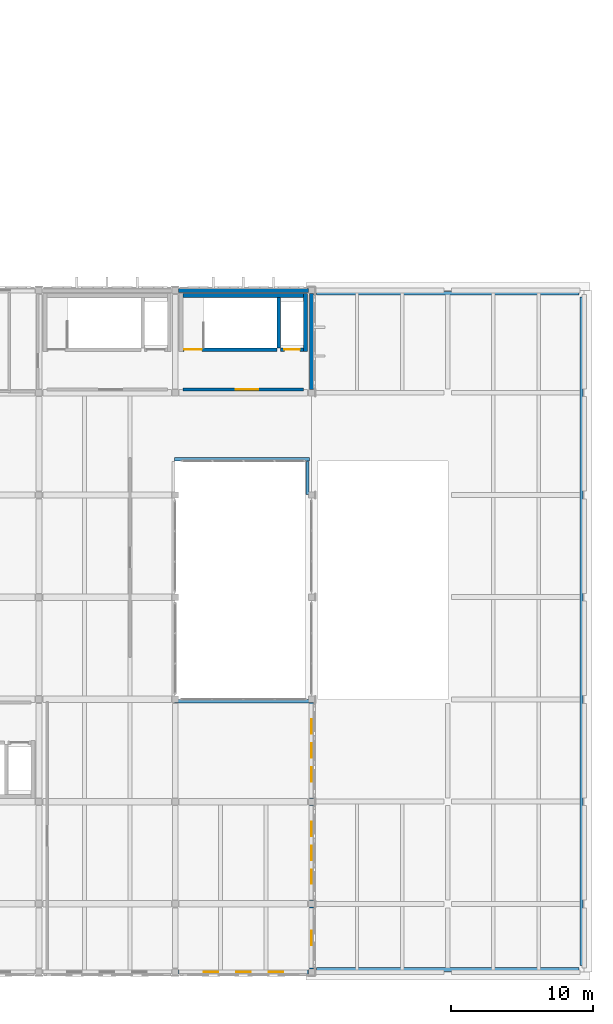
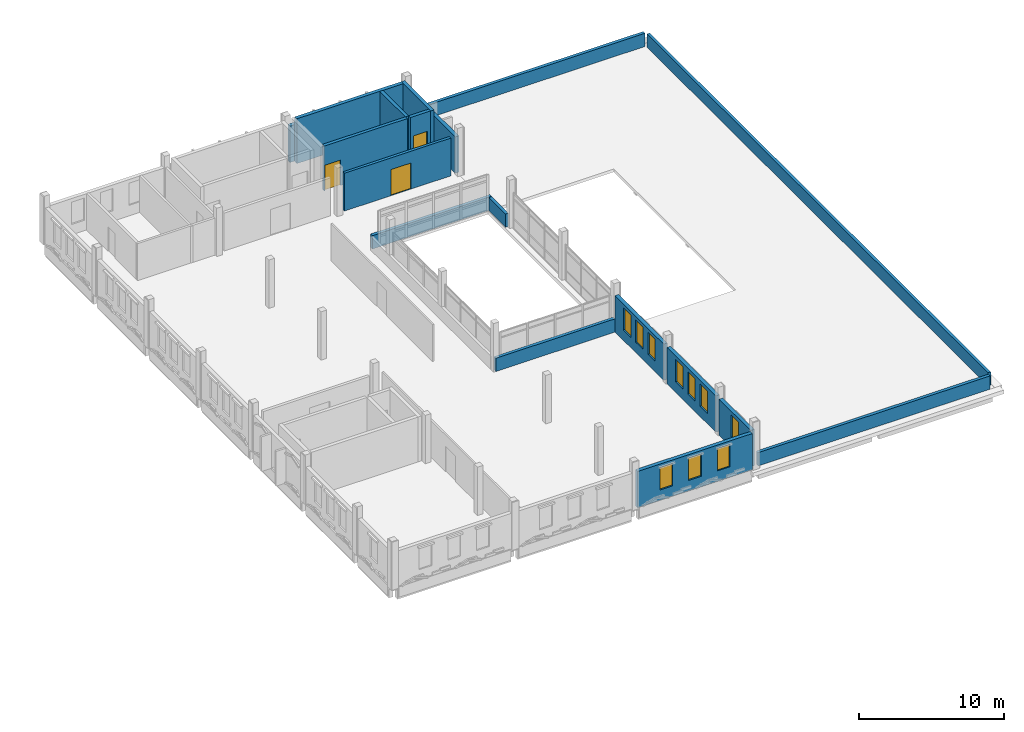
# One storey, part 40 of 50: 18 walls, 10 windows, 3 doors, 13 openings.
"""IFC4 building model written with IfcOpenShell, lengths in metres."""

from ifc_helpers import new_model, si_unit, direction, frame, frame_2d, origin, place, context, subcontext, project, spatial, rectangle, extrude, material, layer, layer_set, type_object, element, fill, save


model = new_model("IFC4")

# Units and contexts
model_context = context("Model", 3, precision=1e-05, world=origin(), true_north=direction((0.0, 1.0)))
body_context = subcontext(model_context, "Body", "Model", "MODEL_VIEW")
ifc_project = project(units=[si_unit("LENGTHUNIT", "METRE"), si_unit("AREAUNIT", "SQUARE_METRE"), si_unit("VOLUMEUNIT", "CUBIC_METRE"), si_unit("PLANEANGLEUNIT", "RADIAN"), si_unit("MASSUNIT", "GRAM", prefix="KILO")], contexts=[model_context])

# Site, building, storey
site_placement = place(None, origin())
site = spatial("IfcSite", under=ifc_project, at=site_placement, CompositionType="ELEMENT")
building_placement = place(site_placement, origin())
building = spatial("IfcBuilding", under=site, at=building_placement, Name="Asteropetra Specialist Clinic", CompositionType="ELEMENT")
storey_placement = place(building_placement, frame((0.0, 0.0, 16.659912109375)))
storey = spatial("IfcBuildingStorey", under=building, at=storey_placement, Name="L04", CompositionType="ELEMENT", Elevation=16.659912109375)

# Wall, openings, windows
ifc_material_1 = material(Name="Chevron sage", Category="masonry")
ifc_layer_1 = layer(ifc_material_1, 0.294921875)
ifc_layer_set_1 = layer_set([ifc_layer_1], Name="Chevron sage")
wall_type_1 = type_object("IfcWallType", Name="EW-CHEV-AEG-295", PredefinedType="SOLIDWALL", material=ifc_layer_set_1)
wall_1_placement = place(storey_placement, frame((125.02490234375, 0.0, 0.0), z_axis=(0.0, 0.0, 1.0), x_axis=(1.0, 0.0, 0.0)))
wall_1 = element("IfcWall", 1, at=wall_1_placement, inside=storey, type_object=wall_type_1, Name="Exterior Wall EW-0283", PredefinedType="SOLIDWALL", context=body_context, shape_type="SweptSolid", body=[
    extrude(rectangle(XDim=9.150146484375, YDim=0.294921875, at=frame_2d((4.5751953125, 0.0))), origin(), (0.0, 0.0, 1.0), 3.06005859375),
])
opening_1_placement = place(wall_1_placement, frame((1.777587890625, 0.0, 0.8798828125)))
opening_1 = element("IfcOpeningElement", 2, at=opening_1_placement, cuts=wall_1, Name="Opening W-0173", PredefinedType="OPENING", context=body_context, shape_type="SweptSolid", body=[
    extrude(rectangle(XDim=1.02001953125, YDim=1.8798828125, at=frame_2d((0.510009765625, 0.93994140625))), frame((0.0, 0.157470703125, 0.0), z_axis=(0.0, -1.0, 0.0), x_axis=(1.0, 0.0, 0.0)), (0.0, 0.0, 1.0), 0.31494140625),
])
opening_2_placement = place(wall_1_placement, frame((4.06494140625, 0.0, 0.8798828125)))
opening_2 = element("IfcOpeningElement", 3, at=opening_2_placement, cuts=wall_1, Name="Opening W-0174", PredefinedType="OPENING", context=body_context, shape_type="SweptSolid", body=[
    extrude(rectangle(XDim=1.02001953125, YDim=1.8798828125, at=frame_2d((0.510009765625, 0.93994140625))), frame((0.0, 0.157470703125, 0.0), z_axis=(0.0, -1.0, 0.0), x_axis=(1.0, 0.0, 0.0)), (0.0, 0.0, 1.0), 0.31494140625),
])
opening_3_placement = place(wall_1_placement, frame((6.3525390625, 0.0, 0.8798828125)))
opening_3 = element("IfcOpeningElement", 4, at=opening_3_placement, cuts=wall_1, Name="Opening W-0175", PredefinedType="OPENING", context=body_context, shape_type="SweptSolid", body=[
    extrude(rectangle(XDim=1.02001953125, YDim=1.8798828125, at=frame_2d((0.510009765625, 0.93994140625))), frame((0.0, 0.157470703125, 0.0), z_axis=(0.0, -1.0, 0.0), x_axis=(1.0, 0.0, 0.0)), (0.0, 0.0, 1.0), 0.31494140625),
])
ifc_material_2 = material(Name="Thermally broken bronze aluminium and low-E glass", Category="aluminium")
window_type = type_object("IfcWindowType", Name="WIN-T31", PartitioningType="SINGLE_PANEL", PredefinedType="WINDOW", material=ifc_material_2)
window_1_placement = place(opening_1_placement, origin())
window_1 = element("IfcWindow", 5, at=window_1_placement, inside=storey, type_object=window_type, Name="Window W-0173", OverallHeight=1.8798828125, OverallWidth=1.02001953125, PartitioningType="SINGLE_PANEL", PredefinedType="WINDOW", context=body_context, shape_type="SweptSolid", body=[
    extrude(rectangle(XDim=1.02001953125, YDim=1.8798828125, at=frame_2d((0.510009765625, 0.93994140625))), frame((0.0, 0.030029296875, 0.0), z_axis=(0.0, -1.0, 0.0), x_axis=(1.0, 0.0, 0.0)), (0.0, 0.0, 1.0), 0.06005859375),
])
fill(opening_1, window_1)
window_2_placement = place(opening_2_placement, origin())
window_2 = element("IfcWindow", 6, at=window_2_placement, inside=storey, type_object=window_type, Name="Window W-0174", OverallHeight=1.8798828125, OverallWidth=1.02001953125, PartitioningType="SINGLE_PANEL", PredefinedType="WINDOW", context=body_context, shape_type="SweptSolid", body=[
    extrude(rectangle(XDim=1.02001953125, YDim=1.8798828125, at=frame_2d((0.510009765625, 0.93994140625))), frame((0.0, 0.030029296875, 0.0), z_axis=(0.0, -1.0, 0.0), x_axis=(1.0, 0.0, 0.0)), (0.0, 0.0, 1.0), 0.06005859375),
])
fill(opening_2, window_2)
window_3_placement = place(opening_3_placement, origin())
window_3 = element("IfcWindow", 7, at=window_3_placement, inside=storey, type_object=window_type, Name="Window W-0175", OverallHeight=1.8798828125, OverallWidth=1.02001953125, PartitioningType="SINGLE_PANEL", PredefinedType="WINDOW", context=body_context, shape_type="SweptSolid", body=[
    extrude(rectangle(XDim=1.02001953125, YDim=1.8798828125, at=frame_2d((0.510009765625, 0.93994140625))), frame((0.0, 0.030029296875, 0.0), z_axis=(0.0, -1.0, 0.0), x_axis=(1.0, 0.0, 0.0)), (0.0, 0.0, 1.0), 0.06005859375),
])
fill(opening_3, window_3)

# Wall
wall_2_placement = place(storey_placement, frame((134.175048828125, 48.0, 0.0), z_axis=(0.0, 0.0, 1.0), x_axis=(-1.0, 0.0, 0.0)))
element("IfcWall", 8, at=wall_2_placement, inside=storey, type_object=wall_type_1, Name="Exterior Wall EW-0284", PredefinedType="SOLIDWALL", context=body_context, shape_type="SweptSolid", body=[
    extrude(rectangle(XDim=9.150146484375, YDim=0.294921875, at=frame_2d((4.5751953125, 0.0))), origin(), (0.0, 0.0, 1.0), 3.06005859375),
])

# Wall, opening, window
wall_3_placement = place(storey_placement, frame((134.39990234375, 0.22509765625, 0.0), z_axis=(0.0, 0.0, 1.0), x_axis=(0.0, 1.0, 0.0)))
wall_3 = element("IfcWall", 9, at=wall_3_placement, inside=storey, type_object=wall_type_1, Name="Exterior Wall EW-0286", PredefinedType="SOLIDWALL", context=body_context, shape_type="SweptSolid", body=[
    extrude(rectangle(XDim=4.349853515625, YDim=0.294921875, at=frame_2d((2.1748046875, 0.0))), origin(), (0.0, 0.0, 1.0), 3.06005859375),
])
opening_4_placement = place(wall_3_placement, frame((1.6650390625, 0.0, 0.8798828125)))
opening_4 = element("IfcOpeningElement", 10, at=opening_4_placement, cuts=wall_3, Name="Opening W-0177", PredefinedType="OPENING", context=body_context, shape_type="SweptSolid", body=[
    extrude(rectangle(XDim=1.02001953125, YDim=1.8798828125, at=frame_2d((0.510009765625, 0.93994140625))), frame((0.0, 0.157470703125, 0.0), z_axis=(0.0, -1.0, 0.0), x_axis=(1.0, 0.0, 0.0)), (0.0, 0.0, 1.0), 0.31494140625),
])
window_4_placement = place(opening_4_placement, origin())
window_4 = element("IfcWindow", 11, at=window_4_placement, inside=storey, type_object=window_type, Name="Window W-0177", OverallHeight=1.8798828125, OverallWidth=1.02001953125, PartitioningType="SINGLE_PANEL", PredefinedType="WINDOW", context=body_context, shape_type="SweptSolid", body=[
    extrude(rectangle(XDim=1.02001953125, YDim=1.8798828125, at=frame_2d((0.510009765625, 0.93994140625))), frame((0.0, 0.030029296875, 0.0), z_axis=(0.0, -1.0, 0.0), x_axis=(1.0, 0.0, 0.0)), (0.0, 0.0, 1.0), 0.06005859375),
])
fill(opening_4, window_4)

# Wall, openings, windows
wall_4_placement = place(storey_placement, frame((134.39990234375, 5.02490234375, 0.0), z_axis=(0.0, 0.0, 1.0), x_axis=(0.0, 1.0, 0.0)))
wall_4 = element("IfcWall", 12, at=wall_4_placement, inside=storey, type_object=wall_type_1, Name="Exterior Wall EW-0288", PredefinedType="SOLIDWALL", context=body_context, shape_type="SweptSolid", body=[
    extrude(rectangle(XDim=6.75, YDim=0.294921875, at=frame_2d((3.375, 0.0))), origin(), (0.0, 0.0, 1.0), 3.06005859375),
])
opening_5_placement = place(wall_4_placement, frame((1.177490234375, 0.0, 0.8798828125)))
opening_5 = element("IfcOpeningElement", 13, at=opening_5_placement, cuts=wall_4, Name="Opening W-0181", PredefinedType="OPENING", context=body_context, shape_type="SweptSolid", body=[
    extrude(rectangle(XDim=1.02001953125, YDim=1.8798828125, at=frame_2d((0.510009765625, 0.93994140625))), frame((0.0, 0.157470703125, 0.0), z_axis=(0.0, -1.0, 0.0), x_axis=(1.0, 0.0, 0.0)), (0.0, 0.0, 1.0), 0.31494140625),
])
opening_6_placement = place(wall_4_placement, frame((2.864990234375, 0.0, 0.8798828125)))
opening_6 = element("IfcOpeningElement", 14, at=opening_6_placement, cuts=wall_4, Name="Opening W-0182", PredefinedType="OPENING", context=body_context, shape_type="SweptSolid", body=[
    extrude(rectangle(XDim=1.02001953125, YDim=1.8798828125, at=frame_2d((0.510009765625, 0.93994140625))), frame((0.0, 0.157470703125, 0.0), z_axis=(0.0, -1.0, 0.0), x_axis=(1.0, 0.0, 0.0)), (0.0, 0.0, 1.0), 0.31494140625),
])
opening_7_placement = place(wall_4_placement, frame((4.552490234375, 0.0, 0.8798828125)))
opening_7 = element("IfcOpeningElement", 15, at=opening_7_placement, cuts=wall_4, Name="Opening W-0183", PredefinedType="OPENING", context=body_context, shape_type="SweptSolid", body=[
    extrude(rectangle(XDim=1.02001953125, YDim=1.8798828125, at=frame_2d((0.510009765625, 0.93994140625))), frame((0.0, 0.157470703125, 0.0), z_axis=(0.0, -1.0, 0.0), x_axis=(1.0, 0.0, 0.0)), (0.0, 0.0, 1.0), 0.31494140625),
])
window_5_placement = place(opening_5_placement, origin())
window_5 = element("IfcWindow", 16, at=window_5_placement, inside=storey, type_object=window_type, Name="Window W-0181", OverallHeight=1.8798828125, OverallWidth=1.02001953125, PartitioningType="SINGLE_PANEL", PredefinedType="WINDOW", context=body_context, shape_type="SweptSolid", body=[
    extrude(rectangle(XDim=1.02001953125, YDim=1.8798828125, at=frame_2d((0.510009765625, 0.93994140625))), frame((0.0, 0.030029296875, 0.0), z_axis=(0.0, -1.0, 0.0), x_axis=(1.0, 0.0, 0.0)), (0.0, 0.0, 1.0), 0.06005859375),
])
fill(opening_5, window_5)
window_6_placement = place(opening_6_placement, origin())
window_6 = element("IfcWindow", 17, at=window_6_placement, inside=storey, type_object=window_type, Name="Window W-0182", OverallHeight=1.8798828125, OverallWidth=1.02001953125, PartitioningType="SINGLE_PANEL", PredefinedType="WINDOW", context=body_context, shape_type="SweptSolid", body=[
    extrude(rectangle(XDim=1.02001953125, YDim=1.8798828125, at=frame_2d((0.510009765625, 0.93994140625))), frame((0.0, 0.030029296875, 0.0), z_axis=(0.0, -1.0, 0.0), x_axis=(1.0, 0.0, 0.0)), (0.0, 0.0, 1.0), 0.06005859375),
])
fill(opening_6, window_6)
window_7_placement = place(opening_7_placement, origin())
window_7 = element("IfcWindow", 18, at=window_7_placement, inside=storey, type_object=window_type, Name="Window W-0183", OverallHeight=1.8798828125, OverallWidth=1.02001953125, PartitioningType="SINGLE_PANEL", PredefinedType="WINDOW", context=body_context, shape_type="SweptSolid", body=[
    extrude(rectangle(XDim=1.02001953125, YDim=1.8798828125, at=frame_2d((0.510009765625, 0.93994140625))), frame((0.0, 0.030029296875, 0.0), z_axis=(0.0, -1.0, 0.0), x_axis=(1.0, 0.0, 0.0)), (0.0, 0.0, 1.0), 0.06005859375),
])
fill(opening_7, window_7)

wall_5_placement = place(storey_placement, frame((134.39990234375, 12.22509765625, 0.0), z_axis=(0.0, 0.0, 1.0), x_axis=(0.0, 1.0, 0.0)))
wall_5 = element("IfcWall", 19, at=wall_5_placement, inside=storey, type_object=wall_type_1, Name="Exterior Wall EW-0290", PredefinedType="SOLIDWALL", context=body_context, shape_type="SweptSolid", body=[
    extrude(rectangle(XDim=6.75, YDim=0.294921875, at=frame_2d((3.375, 0.0))), origin(), (0.0, 0.0, 1.0), 3.06005859375),
])
opening_8_placement = place(wall_5_placement, frame((1.177490234375, 0.0, 0.8798828125)))
opening_8 = element("IfcOpeningElement", 20, at=opening_8_placement, cuts=wall_5, Name="Opening W-0184", PredefinedType="OPENING", context=body_context, shape_type="SweptSolid", body=[
    extrude(rectangle(XDim=1.02001953125, YDim=1.8798828125, at=frame_2d((0.510009765625, 0.93994140625))), frame((0.0, 0.157470703125, 0.0), z_axis=(0.0, -1.0, 0.0), x_axis=(1.0, 0.0, 0.0)), (0.0, 0.0, 1.0), 0.31494140625),
])
opening_9_placement = place(wall_5_placement, frame((2.864990234375, 0.0, 0.8798828125)))
opening_9 = element("IfcOpeningElement", 21, at=opening_9_placement, cuts=wall_5, Name="Opening W-0185", PredefinedType="OPENING", context=body_context, shape_type="SweptSolid", body=[
    extrude(rectangle(XDim=1.02001953125, YDim=1.8798828125, at=frame_2d((0.510009765625, 0.93994140625))), frame((0.0, 0.157470703125, 0.0), z_axis=(0.0, -1.0, 0.0), x_axis=(1.0, 0.0, 0.0)), (0.0, 0.0, 1.0), 0.31494140625),
])
opening_10_placement = place(wall_5_placement, frame((4.552490234375, 0.0, 0.8798828125)))
opening_10 = element("IfcOpeningElement", 22, at=opening_10_placement, cuts=wall_5, Name="Opening W-0186", PredefinedType="OPENING", context=body_context, shape_type="SweptSolid", body=[
    extrude(rectangle(XDim=1.02001953125, YDim=1.8798828125, at=frame_2d((0.510009765625, 0.93994140625))), frame((0.0, 0.157470703125, 0.0), z_axis=(0.0, -1.0, 0.0), x_axis=(1.0, 0.0, 0.0)), (0.0, 0.0, 1.0), 0.31494140625),
])
window_8_placement = place(opening_8_placement, origin())
window_8 = element("IfcWindow", 23, at=window_8_placement, inside=storey, type_object=window_type, Name="Window W-0184", OverallHeight=1.8798828125, OverallWidth=1.02001953125, PartitioningType="SINGLE_PANEL", PredefinedType="WINDOW", context=body_context, shape_type="SweptSolid", body=[
    extrude(rectangle(XDim=1.02001953125, YDim=1.8798828125, at=frame_2d((0.510009765625, 0.93994140625))), frame((0.0, 0.030029296875, 0.0), z_axis=(0.0, -1.0, 0.0), x_axis=(1.0, 0.0, 0.0)), (0.0, 0.0, 1.0), 0.06005859375),
])
fill(opening_8, window_8)
window_9_placement = place(opening_9_placement, origin())
window_9 = element("IfcWindow", 24, at=window_9_placement, inside=storey, type_object=window_type, Name="Window W-0185", OverallHeight=1.8798828125, OverallWidth=1.02001953125, PartitioningType="SINGLE_PANEL", PredefinedType="WINDOW", context=body_context, shape_type="SweptSolid", body=[
    extrude(rectangle(XDim=1.02001953125, YDim=1.8798828125, at=frame_2d((0.510009765625, 0.93994140625))), frame((0.0, 0.030029296875, 0.0), z_axis=(0.0, -1.0, 0.0), x_axis=(1.0, 0.0, 0.0)), (0.0, 0.0, 1.0), 0.06005859375),
])
fill(opening_9, window_9)
window_10_placement = place(opening_10_placement, origin())
window_10 = element("IfcWindow", 25, at=window_10_placement, inside=storey, type_object=window_type, Name="Window W-0186", OverallHeight=1.8798828125, OverallWidth=1.02001953125, PartitioningType="SINGLE_PANEL", PredefinedType="WINDOW", context=body_context, shape_type="SweptSolid", body=[
    extrude(rectangle(XDim=1.02001953125, YDim=1.8798828125, at=frame_2d((0.510009765625, 0.93994140625))), frame((0.0, 0.030029296875, 0.0), z_axis=(0.0, -1.0, 0.0), x_axis=(1.0, 0.0, 0.0)), (0.0, 0.0, 1.0), 0.06005859375),
])
fill(opening_10, window_10)

# Walls
wall_6_placement = place(storey_placement, frame((134.39990234375, 41.02490234375, 0.0), z_axis=(0.0, 0.0, 1.0), x_axis=(0.0, 1.0, 0.0)))
element("IfcWall", 26, at=wall_6_placement, inside=storey, type_object=wall_type_1, Name="Exterior Wall EW-0295", PredefinedType="SOLIDWALL", context=body_context, shape_type="SweptSolid", body=[
    extrude(rectangle(XDim=6.75, YDim=0.294921875, at=frame_2d((3.375, 0.0))), origin(), (0.0, 0.0, 1.0), 3.06005859375),
])
ifc_material_3 = material(Name="Piraeus poros limestone", Category="masonry")
ifc_layer_2 = layer(ifc_material_3, 0.219970703125)
ifc_layer_set_2 = layer_set([ifc_layer_2], Name="Piraeus poros limestone")
wall_type_2 = type_object("IfcWallType", Name="EW-PARAPET-220", PredefinedType="PARAPET", material=ifc_layer_set_2)
wall_7_placement = place(storey_placement, frame((153.419921875, 0.449951171875, 0.0), z_axis=(0.0, 0.0, 1.0), x_axis=(0.0, 1.0, 0.0)))
element("IfcWall", 27, at=wall_7_placement, inside=storey, type_object=wall_type_2, Name="Roof Parapet WP-18", PredefinedType="PARAPET", context=body_context, shape_type="SweptSolid", body=[
    extrude(rectangle(XDim=47.10009765625, YDim=0.219970703125, at=frame_2d((23.550048828125, 0.0))), origin(), (0.0, 0.0, 1.0), 1.1201171875),
])
wall_8_placement = place(storey_placement, frame((134.1201171875, 33.64990234375, 0.0), z_axis=(0.0, 0.0, 1.0), x_axis=(0.0, 1.0, 0.0)))
element("IfcWall", 28, at=wall_8_placement, inside=storey, type_object=wall_type_2, Name="Roof Parapet WP-28", PredefinedType="PARAPET", context=body_context, shape_type="SweptSolid", body=[
    extrude(rectangle(XDim=2.300048828125, YDim=0.219970703125, at=frame_2d((1.14990234375, 0.0))), origin(), (0.0, 0.0, 1.0), 1.1201171875),
])
ifc_material_4 = material(Name="Pentelic marble ashlar", Category="masonry")
ifc_layer_3 = layer(ifc_material_4, 0.25)
ifc_layer_set_3 = layer_set([ifc_layer_3], Name="Pentelic marble ashlar")
wall_type_3 = type_object("IfcWallType", Name="EW-PARAPET-250", PredefinedType="PARAPET", material=ifc_layer_set_3)
for number, where, z_axis, x_axis, name in (
    (29, (134.75, 47.820068359375, 0.0), (0.0, 0.0, 1.0), (1.0, 0.0, 0.0), "Roof Parapet WP-17"),
    (30, (134.75, 0.179931640625, 0.0), (0.0, 0.0, 1.0), (1.0, 0.0, 0.0), "Roof Parapet WP-19"),
):
    element("IfcWall", number, at=place(storey_placement, frame(where, z_axis=z_axis, x_axis=x_axis)), inside=storey, type_object=wall_type_3, Name=name, PredefinedType="PARAPET", context=body_context, shape_type="SweptSolid", body=[
        extrude(rectangle(XDim=18.5, YDim=0.25, at=frame_2d((9.25, 0.0))), origin(), (0.0, 0.0, 1.0), 1.1201171875),
    ])
for number, where, z_axis, x_axis, name in (
    (31, (124.75, 36.1201171875, 0.0), (0.0, 0.0, 1.0), (1.0, 0.0, 0.0), "Roof Parapet WP-25"),
    (32, (124.75, 19.080078125, 0.0), (0.0, 0.0, 1.0), (1.0, 0.0, 0.0), "Roof Parapet WP-27"),
):
    element("IfcWall", number, at=place(storey_placement, frame(where, z_axis=z_axis, x_axis=x_axis)), inside=storey, type_object=wall_type_3, Name=name, PredefinedType="PARAPET", context=body_context, shape_type="SweptSolid", body=[
        extrude(rectangle(XDim=9.5, YDim=0.25, at=frame_2d((4.75, 0.0))), origin(), (0.0, 0.0, 1.0), 1.1201171875),
    ])

# Wall, opening, door
ifc_material_5 = material(Name="Fire-rated masonry and gypsum", Category="masonry")
ifc_layer_4 = layer(ifc_material_5, 0.219970703125)
ifc_layer_set_4 = layer_set([ifc_layer_4], Name="Fire-rated masonry and gypsum")
wall_type_4 = type_object("IfcWallType", Name="W-COMP-220", PredefinedType="PARTITIONING", material=ifc_layer_set_4)
wall_9_placement = place(storey_placement, frame((125.360107421875, 41.02001953125, 0.0), z_axis=(0.0, 0.0, 1.0), x_axis=(1.0, 0.0, 0.0)))
wall_9 = element("IfcWall", 33, at=wall_9_placement, inside=storey, type_object=wall_type_4, Name="Core Wall CW-C9-L04-LOB", PredefinedType="PARTITIONING", context=body_context, shape_type="SweptSolid", body=[
    extrude(rectangle(XDim=8.47998046875, YDim=0.219970703125, at=frame_2d((4.239990234375, 0.0))), origin(), (0.0, 0.0, 1.0), 3.190185546875),
])
opening_11_placement = place(wall_9_placement, frame((3.699951171875, 0.0, 0.0)))
opening_11 = element("IfcOpeningElement", 34, at=opening_11_placement, cuts=wall_9, Name="Opening FD-084", PredefinedType="OPENING", context=body_context, shape_type="SweptSolid", body=[
    extrude(rectangle(XDim=1.60009765625, YDim=2.199951171875, at=frame_2d((0.800048828125, 1.10009765625))), frame((0.0, 0.119873046875, 0.0), z_axis=(0.0, -1.0, 0.0), x_axis=(1.0, 0.0, 0.0)), (0.0, 0.0, 1.0), 0.239990234375),
])
ifc_material_6 = material(Name="Fire-rated steel and vision glass door", Category="steel")
door_type_1 = type_object("IfcDoorType", Name="FD-LOBBY-1600", OperationType="DOUBLE_DOOR_SINGLE_SWING", PredefinedType="DOOR", material=ifc_material_6)
door_1_placement = place(opening_11_placement, origin())
door_1 = element("IfcDoor", 35, at=door_1_placement, inside=storey, type_object=door_type_1, Name="Lobby Fire Door FD-084", OperationType="DOUBLE_DOOR_SINGLE_SWING", OverallHeight=2.199951171875, OverallWidth=1.60009765625, PredefinedType="DOOR", context=body_context, shape_type="SweptSolid", body=[
    extrude(rectangle(XDim=1.60009765625, YDim=2.199951171875, at=frame_2d((0.800048828125, 1.10009765625))), frame((0.0, 0.02490234375, 0.0), z_axis=(0.0, -1.0, 0.0), x_axis=(1.0, 0.0, 0.0)), (0.0, 0.0, 1.0), 0.050048828125),
])
fill(opening_11, door_1)

# Walls
ifc_material_7 = material(Name="Concrete C35/45", Category="concrete")
ifc_layer_5 = layer(ifc_material_7, 0.280029296875)
ifc_layer_set_5 = layer_set([ifc_layer_5], Name="Concrete C35/45")
wall_type_5 = type_object("IfcWallType", Name="W-CORE-280", PredefinedType="SHEAR", material=ifc_layer_set_5)
wall_10_placement = place(storey_placement, frame((133.97998046875, 43.699951171875, 0.0), z_axis=(0.0, 0.0, 1.0), x_axis=(0.0, 1.0, 0.0)))
element("IfcWall", 36, at=wall_10_placement, inside=storey, type_object=wall_type_5, Name="Core Wall CW-C9-L04-E", PredefinedType="SHEAR", context=body_context, shape_type="SweptSolid", body=[
    extrude(rectangle(XDim=4.080078125, YDim=0.280029296875, at=frame_2d((2.0400390625, 0.0))), origin(), (0.0, 0.0, 1.0), 3.780029296875),
])
wall_11_placement = place(storey_placement, frame((125.35498046875, 47.639892578125, 0.0), z_axis=(0.0, 0.0, 1.0), x_axis=(1.0, 0.0, 0.0)))
element("IfcWall", 37, at=wall_11_placement, inside=storey, type_object=wall_type_5, Name="Core Wall CW-C9-L04-BACK", PredefinedType="SHEAR", context=body_context, shape_type="SweptSolid", body=[
    extrude(rectangle(XDim=8.489990234375, YDim=0.280029296875, at=frame_2d((4.2451171875, 0.0))), origin(), (0.0, 0.0, 1.0), 3.780029296875),
])
ifc_material_8 = material(Name="Concrete C35/45", Category="concrete")
ifc_layer_6 = layer(ifc_material_8, 0.25)
ifc_layer_set_6 = layer_set([ifc_layer_6], Name="Concrete C35/45")
wall_type_6 = type_object("IfcWallType", Name="W-SHAFT-250", PredefinedType="SHEAR", material=ifc_layer_set_6)
wall_12_placement = place(storey_placement, frame((132.10009765625, 43.9599609375, 0.0), z_axis=(0.0, 0.0, 1.0), x_axis=(0.0, 1.0, 0.0)))
element("IfcWall", 38, at=wall_12_placement, inside=storey, type_object=wall_type_6, Name="Core Wall CW-C9-L04-MID", PredefinedType="SHEAR", context=body_context, shape_type="SweptSolid", body=[
    extrude(rectangle(XDim=3.5400390625, YDim=0.25, at=frame_2d((1.77001953125, 0.0))), origin(), (0.0, 0.0, 1.0), 3.780029296875),
])

# Wall, opening, door
wall_13_placement = place(storey_placement, frame((125.35498046875, 43.840087890625, 0.0), z_axis=(0.0, 0.0, 1.0), x_axis=(1.0, 0.0, 0.0)))
wall_13 = element("IfcWall", 39, at=wall_13_placement, inside=storey, type_object=wall_type_6, Name="Core Wall CW-C9-L04-STDIV", PredefinedType="SHEAR", context=body_context, shape_type="SweptSolid", body=[
    extrude(rectangle(XDim=6.625, YDim=0.25, at=frame_2d((3.3125, 0.0))), origin(), (0.0, 0.0, 1.0), 3.780029296875),
])
opening_12_placement = place(wall_13_placement, frame((0.080078125, 0.0, 0.0)))
opening_12 = element("IfcOpeningElement", 40, at=opening_12_placement, cuts=wall_13, Name="Opening FD-083", PredefinedType="OPENING", context=body_context, shape_type="SweptSolid", body=[
    extrude(rectangle(XDim=1.239990234375, YDim=2.14990234375, at=frame_2d((0.6201171875, 1.074951171875))), frame((0.0, 0.135009765625, 0.0), z_axis=(0.0, -1.0, 0.0), x_axis=(1.0, 0.0, 0.0)), (0.0, 0.0, 1.0), 0.27001953125),
])
ifc_material_9 = material(Name="Fire-rated steel and vision glass door", Category="steel")
door_type_2 = type_object("IfcDoorType", Name="FD-STAIR-1400", OperationType="DOUBLE_DOOR_SINGLE_SWING", PredefinedType="DOOR", material=ifc_material_9)
door_2_placement = place(opening_12_placement, origin())
door_2 = element("IfcDoor", 41, at=door_2_placement, inside=storey, type_object=door_type_2, Name="Stair Fire Door FD-083", OperationType="DOUBLE_DOOR_SINGLE_SWING", OverallHeight=2.14990234375, OverallWidth=1.239990234375, PredefinedType="DOOR", context=body_context, shape_type="SweptSolid", body=[
    extrude(rectangle(XDim=1.239990234375, YDim=2.14990234375, at=frame_2d((0.6201171875, 1.074951171875))), frame((0.0, 0.02490234375, 0.0), z_axis=(0.0, -1.0, 0.0), x_axis=(1.0, 0.0, 0.0)), (0.0, 0.0, 1.0), 0.050048828125),
])
fill(opening_12, door_2)

wall_14_placement = place(storey_placement, frame((132.219970703125, 43.840087890625, 0.0), z_axis=(0.0, 0.0, 1.0), x_axis=(1.0, 0.0, 0.0)))
wall_14 = element("IfcWall", 42, at=wall_14_placement, inside=storey, type_object=wall_type_6, Name="Lift Shaft Front Wall CW-C9-L04-LFTF", PredefinedType="SHEAR", context=body_context, shape_type="SweptSolid", body=[
    extrude(rectangle(XDim=1.625, YDim=0.25, at=frame_2d((0.8125, 0.0))), origin(), (0.0, 0.0, 1.0), 3.780029296875),
])
opening_13_placement = place(wall_14_placement, frame((0.262451171875, 0.0, 0.0)))
opening_13 = element("IfcOpeningElement", 43, at=opening_13_placement, cuts=wall_14, Name="Opening LD-042", PredefinedType="OPENING", context=body_context, shape_type="SweptSolid", body=[
    extrude(rectangle(XDim=1.10009765625, YDim=2.14990234375, at=frame_2d((0.550048828125, 1.074951171875))), frame((0.0, 0.135009765625, 0.0), z_axis=(0.0, -1.0, 0.0), x_axis=(1.0, 0.0, 0.0)), (0.0, 0.0, 1.0), 0.27001953125),
])
ifc_material_10 = material(Name="Brushed stainless steel sliding lift landing door", Category="steel")
door_type_3 = type_object("IfcDoorType", Name="LD-PASS-1100", OperationType="DOUBLE_DOOR_SLIDING", PredefinedType="DOOR", material=ifc_material_10)
door_3_placement = place(opening_13_placement, origin())
door_3 = element("IfcDoor", 44, at=door_3_placement, inside=storey, type_object=door_type_3, Name="Lift Landing Door LD-042", OperationType="DOUBLE_DOOR_SLIDING", OverallHeight=2.14990234375, OverallWidth=1.10009765625, PredefinedType="DOOR", context=body_context, shape_type="SweptSolid", body=[
    extrude(rectangle(XDim=1.10009765625, YDim=2.14990234375, at=frame_2d((0.550048828125, 1.074951171875))), frame((0.0, 0.02490234375, 0.0), z_axis=(0.0, -1.0, 0.0), x_axis=(1.0, 0.0, 0.0)), (0.0, 0.0, 1.0), 0.050048828125),
])
fill(opening_13, door_3)

save(model, "model.ifc")
